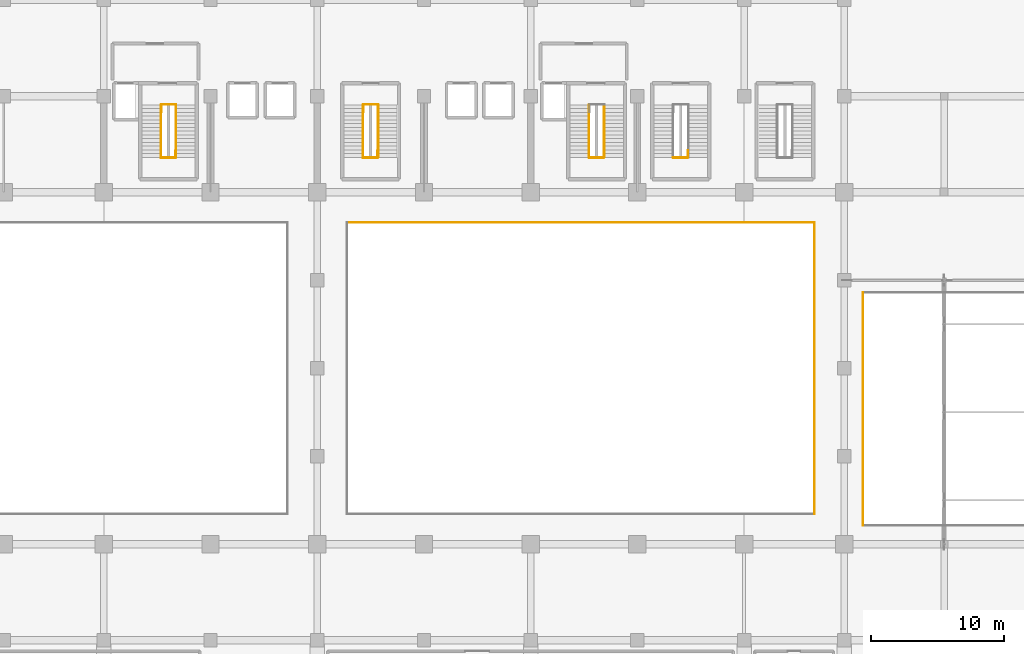
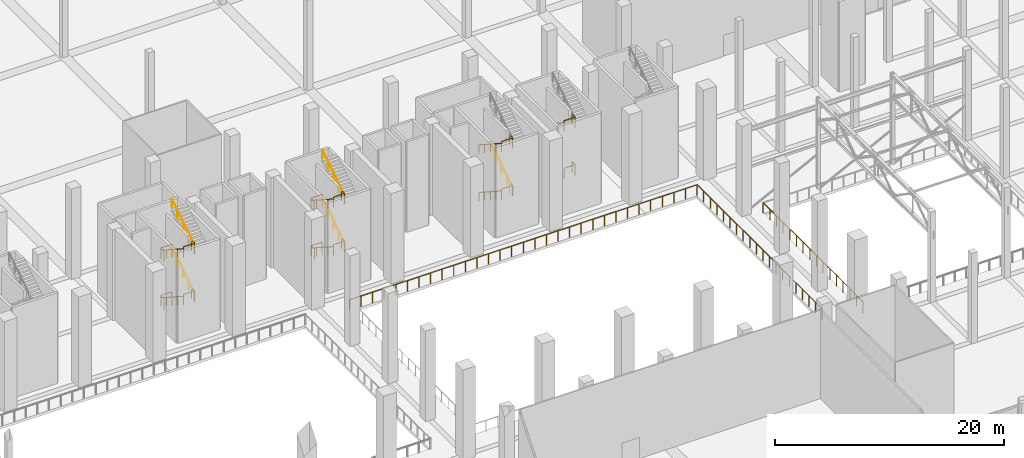
# One storey, part 78 of 80: 26 railings.
"""IFC4 building model written with IfcOpenShell, lengths in metres."""

from ifc_helpers import new_model, si_unit, direction, frame, origin, origin_2d, place, context, subcontext, project, spatial, circle, extrude, material, layer, layer_set, type_object, element, save


model = new_model("IFC4")

# Units and contexts
model_context = context("Model", 3, precision=1e-05, world=origin(), true_north=direction((0.0, 1.0)))
body_context = subcontext(model_context, "Body", "Model", "MODEL_VIEW")
ifc_project = project(units=[si_unit("LENGTHUNIT", "METRE"), si_unit("AREAUNIT", "SQUARE_METRE"), si_unit("VOLUMEUNIT", "CUBIC_METRE"), si_unit("PLANEANGLEUNIT", "RADIAN"), si_unit("MASSUNIT", "GRAM", prefix="KILO")], contexts=[model_context])

# Site, building, storey
site_placement = place(None, origin())
site = spatial("IfcSite", under=ifc_project, at=site_placement, CompositionType="ELEMENT")
building_placement = place(site_placement, origin())
building = spatial("IfcBuilding", under=site, at=building_placement, Name="Akrevak Sports Hall", CompositionType="ELEMENT")
storey_placement = place(building_placement, frame((0.0, 0.0, 14.0)))
storey = spatial("IfcBuildingStorey", under=building, at=storey_placement, Name="L03", CompositionType="ELEMENT", Elevation=14.0)

# Railings
ifc_material_1 = material(Name="Painted Architectural Balustrade Steel", Category="steel")
ifc_layer_1 = layer(ifc_material_1, 0.06005859375, Name="Painted Architectural Balustrade Steel")
ifc_layer_set_1 = layer_set([ifc_layer_1], Name="Painted Architectural Balustrade Steel")
railing_type_1 = type_object("IfcRailingType", Name="ARC-RL-GRD-1120", PredefinedType="GUARDRAIL", material=ifc_layer_set_1)
railing_1_placement = place(storey_placement, frame((64.31005859375, 61.215087890625, 0.0)))
element("IfcRailing", 1, at=railing_1_placement, inside=storey, type_object=railing_type_1, Name="Stair Floor Landing Well Guard ST1 (L03)", PredefinedType="GUARDRAIL", context=body_context, shape_type="SweptSolid", body=[
    extrude(circle(Radius=0.02392578125, at=origin_2d()), frame((0.0, 0.0, 1.09619140625), z_axis=(0.0, 1.0, 0.0), x_axis=(-1.0, 0.0, 0.0)), (0.0, 0.0, 1.0), 0.5498046875),
    extrude(circle(Radius=0.02392578125, at=origin_2d()), frame((0.0, 0.5498046875, 1.09619140625), z_axis=(1.0, 0.0, 0.0), x_axis=(0.0, 1.0, 0.0)), (0.0, 0.0, 1.0), 1.10986328125),
    extrude(circle(Radius=0.02099609375, at=origin_2d()), origin(), (0.0, 0.0, 1.0), 1.072021484375),
    extrude(circle(Radius=0.02099609375, at=origin_2d()), frame((0.0, 0.5498046875, 0.0)), (0.0, 0.0, 1.0), 1.072021484375),
    extrude(circle(Radius=0.02099609375, at=origin_2d()), frame((1.10986328125, 0.5498046875, 0.0)), (0.0, 0.0, 1.0), 1.072021484375),
])
railing_2_placement = place(storey_placement, frame((64.280029296875, 57.784912109375, 2.53759765625)))
element("IfcRailing", 2, at=railing_2_placement, inside=storey, type_object=railing_type_1, Name="Stair Landing Well Guard ST1-L03-1", PredefinedType="GUARDRAIL", context=body_context, shape_type="SweptSolid", body=[
    extrude(circle(Radius=0.02392578125, at=origin_2d()), frame((0.0, 0.0, 1.09619140625), z_axis=(1.0, 0.0, 0.0), x_axis=(0.0, 1.0, 0.0)), (0.0, 0.0, 1.0), 1.10986328125),
    extrude(circle(Radius=0.02392578125, at=origin_2d()), frame((1.10986328125, 0.0, 1.09619140625), z_axis=(0.0, 1.0, 0.0), x_axis=(-1.0, 0.0, 0.0)), (0.0, 0.0, 1.0), 0.52001953125),
    extrude(circle(Radius=0.02099609375, at=origin_2d()), origin(), (0.0, 0.0, 1.0), 1.072021484375),
    extrude(circle(Radius=0.02099609375, at=origin_2d()), frame((1.10986328125, 0.0, 0.0)), (0.0, 0.0, 1.0), 1.072021484375),
    extrude(circle(Radius=0.02099609375, at=origin_2d()), frame((1.10986328125, 0.52001953125, 0.0)), (0.0, 0.0, 1.0), 1.072021484375),
])
railing_3_placement = place(storey_placement, frame((64.31005859375, 61.2451171875, 5.074951171875)))
element("IfcRailing", 3, at=railing_3_placement, inside=storey, type_object=railing_type_1, Name="Stair Landing Well Guard ST1-L03-2", PredefinedType="GUARDRAIL", context=body_context, shape_type="SweptSolid", body=[
    extrude(circle(Radius=0.02392578125, at=origin_2d()), frame((0.0, 0.0, 1.09619140625), z_axis=(0.0, 1.0, 0.0), x_axis=(-1.0, 0.0, 0.0)), (0.0, 0.0, 1.0), 0.519775390625),
    extrude(circle(Radius=0.02392578125, at=origin_2d()), frame((0.0, 0.519775390625, 1.09619140625), z_axis=(1.0, 0.0, 0.0), x_axis=(0.0, 1.0, 0.0)), (0.0, 0.0, 1.0), 1.10986328125),
    extrude(circle(Radius=0.02099609375, at=origin_2d()), origin(), (0.0, 0.0, 1.0), 1.072021484375),
    extrude(circle(Radius=0.02099609375, at=origin_2d()), frame((0.0, 0.519775390625, 0.0)), (0.0, 0.0, 1.0), 1.072021484375),
    extrude(circle(Radius=0.02099609375, at=origin_2d()), frame((1.10986328125, 0.519775390625, 0.0)), (0.0, 0.0, 1.0), 1.072021484375),
])
railing_4_placement = place(storey_placement, frame((64.280029296875, 57.784912109375, 7.612548828125)))
element("IfcRailing", 4, at=railing_4_placement, inside=storey, type_object=railing_type_1, Name="Stair Landing Well Guard ST1-L03-3", PredefinedType="GUARDRAIL", context=body_context, shape_type="SweptSolid", body=[
    extrude(circle(Radius=0.02392578125, at=origin_2d()), frame((0.0, 0.0, 1.09619140625), z_axis=(1.0, 0.0, 0.0), x_axis=(0.0, 1.0, 0.0)), (0.0, 0.0, 1.0), 1.10986328125),
    extrude(circle(Radius=0.02392578125, at=origin_2d()), frame((1.10986328125, 0.0, 1.09619140625), z_axis=(0.0, 1.0, 0.0), x_axis=(-1.0, 0.0, 0.0)), (0.0, 0.0, 1.0), 0.52001953125),
    extrude(circle(Radius=0.02099609375, at=origin_2d()), origin(), (0.0, 0.0, 1.0), 1.072021484375),
    extrude(circle(Radius=0.02099609375, at=origin_2d()), frame((1.10986328125, 0.0, 0.0)), (0.0, 0.0, 1.0), 1.072021484375),
    extrude(circle(Radius=0.02099609375, at=origin_2d()), frame((1.10986328125, 0.52001953125, 0.0)), (0.0, 0.0, 1.0), 1.072021484375),
])
for number, where, name in (
    (5, (96.3798828125, 57.784912109375, 2.53759765625), "Stair Landing Well Guard ST2-L03-1"),
    (6, (96.3798828125, 57.784912109375, 7.612548828125), "Stair Landing Well Guard ST2-L03-3"),
):
    element("IfcRailing", number, at=place(storey_placement, frame(where)), inside=storey, type_object=railing_type_1, Name=name, PredefinedType="GUARDRAIL", context=body_context, shape_type="SweptSolid", body=[
        extrude(circle(Radius=0.02392578125, at=origin_2d()), frame((0.0, 0.0, 1.09619140625), z_axis=(1.0, 0.0, 0.0), x_axis=(0.0, 1.0, 0.0)), (0.0, 0.0, 1.0), 1.110107421875),
        extrude(circle(Radius=0.02392578125, at=origin_2d()), frame((1.110107421875, 0.0, 1.09619140625), z_axis=(0.0, 1.0, 0.0), x_axis=(-1.0, 0.0, 0.0)), (0.0, 0.0, 1.0), 0.52001953125),
        extrude(circle(Radius=0.02099609375, at=origin_2d()), origin(), (0.0, 0.0, 1.0), 1.072021484375),
        extrude(circle(Radius=0.02099609375, at=origin_2d()), frame((1.110107421875, 0.0, 0.0)), (0.0, 0.0, 1.0), 1.072021484375),
        extrude(circle(Radius=0.02099609375, at=origin_2d()), frame((1.110107421875, 0.52001953125, 0.0)), (0.0, 0.0, 1.0), 1.072021484375),
    ])
railing_5_placement = place(storey_placement, frame((79.4599609375, 61.215087890625, 0.0)))
element("IfcRailing", 7, at=railing_5_placement, inside=storey, type_object=railing_type_1, Name="Stair Floor Landing Well Guard ST3 (L03)", PredefinedType="GUARDRAIL", context=body_context, shape_type="SweptSolid", body=[
    extrude(circle(Radius=0.02392578125, at=origin_2d()), frame((0.0, 0.0, 1.09619140625), z_axis=(0.0, 1.0, 0.0), x_axis=(-1.0, 0.0, 0.0)), (0.0, 0.0, 1.0), 0.5498046875),
    extrude(circle(Radius=0.02392578125, at=origin_2d()), frame((0.0, 0.5498046875, 1.09619140625), z_axis=(1.0, 0.0, 0.0), x_axis=(0.0, 1.0, 0.0)), (0.0, 0.0, 1.0), 1.110107421875),
    extrude(circle(Radius=0.02099609375, at=origin_2d()), origin(), (0.0, 0.0, 1.0), 1.072021484375),
    extrude(circle(Radius=0.02099609375, at=origin_2d()), frame((0.0, 0.5498046875, 0.0)), (0.0, 0.0, 1.0), 1.072021484375),
    extrude(circle(Radius=0.02099609375, at=origin_2d()), frame((1.110107421875, 0.5498046875, 0.0)), (0.0, 0.0, 1.0), 1.072021484375),
])
railing_6_placement = place(storey_placement, frame((79.429931640625, 57.784912109375, 2.53759765625)))
element("IfcRailing", 8, at=railing_6_placement, inside=storey, type_object=railing_type_1, Name="Stair Landing Well Guard ST3-L03-1", PredefinedType="GUARDRAIL", context=body_context, shape_type="SweptSolid", body=[
    extrude(circle(Radius=0.02392578125, at=origin_2d()), frame((0.0, 0.0, 1.09619140625), z_axis=(1.0, 0.0, 0.0), x_axis=(0.0, 1.0, 0.0)), (0.0, 0.0, 1.0), 1.110107421875),
    extrude(circle(Radius=0.02392578125, at=origin_2d()), frame((1.110107421875, 0.0, 1.09619140625), z_axis=(0.0, 1.0, 0.0), x_axis=(-1.0, 0.0, 0.0)), (0.0, 0.0, 1.0), 0.52001953125),
    extrude(circle(Radius=0.02099609375, at=origin_2d()), origin(), (0.0, 0.0, 1.0), 1.072021484375),
    extrude(circle(Radius=0.02099609375, at=origin_2d()), frame((1.110107421875, 0.0, 0.0)), (0.0, 0.0, 1.0), 1.072021484375),
    extrude(circle(Radius=0.02099609375, at=origin_2d()), frame((1.110107421875, 0.52001953125, 0.0)), (0.0, 0.0, 1.0), 1.072021484375),
])
railing_7_placement = place(storey_placement, frame((79.4599609375, 61.2451171875, 5.074951171875)))
element("IfcRailing", 9, at=railing_7_placement, inside=storey, type_object=railing_type_1, Name="Stair Landing Well Guard ST3-L03-2", PredefinedType="GUARDRAIL", context=body_context, shape_type="SweptSolid", body=[
    extrude(circle(Radius=0.02392578125, at=origin_2d()), frame((0.0, 0.0, 1.09619140625), z_axis=(0.0, 1.0, 0.0), x_axis=(-1.0, 0.0, 0.0)), (0.0, 0.0, 1.0), 0.519775390625),
    extrude(circle(Radius=0.02392578125, at=origin_2d()), frame((0.0, 0.519775390625, 1.09619140625), z_axis=(1.0, 0.0, 0.0), x_axis=(0.0, 1.0, 0.0)), (0.0, 0.0, 1.0), 1.110107421875),
    extrude(circle(Radius=0.02099609375, at=origin_2d()), origin(), (0.0, 0.0, 1.0), 1.072021484375),
    extrude(circle(Radius=0.02099609375, at=origin_2d()), frame((0.0, 0.519775390625, 0.0)), (0.0, 0.0, 1.0), 1.072021484375),
    extrude(circle(Radius=0.02099609375, at=origin_2d()), frame((1.110107421875, 0.519775390625, 0.0)), (0.0, 0.0, 1.0), 1.072021484375),
])
for number, where, name in (
    (10, (79.429931640625, 57.784912109375, 7.612548828125), "Stair Landing Well Guard ST3-L03-3"),
    (11, (102.679931640625, 57.784912109375, 2.53759765625), "Stair Landing Well Guard ST10-L03-1"),
    (12, (102.679931640625, 57.784912109375, 7.612548828125), "Stair Landing Well Guard ST10-L03-3"),
):
    element("IfcRailing", number, at=place(storey_placement, frame(where)), inside=storey, type_object=railing_type_1, Name=name, PredefinedType="GUARDRAIL", context=body_context, shape_type="SweptSolid", body=[
        extrude(circle(Radius=0.02392578125, at=origin_2d()), frame((0.0, 0.0, 1.09619140625), z_axis=(1.0, 0.0, 0.0), x_axis=(0.0, 1.0, 0.0)), (0.0, 0.0, 1.0), 1.110107421875),
        extrude(circle(Radius=0.02392578125, at=origin_2d()), frame((1.110107421875, 0.0, 1.09619140625), z_axis=(0.0, 1.0, 0.0), x_axis=(-1.0, 0.0, 0.0)), (0.0, 0.0, 1.0), 0.52001953125),
        extrude(circle(Radius=0.02099609375, at=origin_2d()), origin(), (0.0, 0.0, 1.0), 1.072021484375),
        extrude(circle(Radius=0.02099609375, at=origin_2d()), frame((1.110107421875, 0.0, 0.0)), (0.0, 0.0, 1.0), 1.072021484375),
        extrude(circle(Radius=0.02099609375, at=origin_2d()), frame((1.110107421875, 0.52001953125, 0.0)), (0.0, 0.0, 1.0), 1.072021484375),
    ])
ifc_material_2 = material(Name="Anodized Bronze Aluminium & Laminated Glass", Category="aluminium")
ifc_layer_2 = layer(ifc_material_2, 0.080078125, Name="Anodized Bronze Aluminium & Laminated Glass")
ifc_layer_set_2 = layer_set([ifc_layer_2], Name="Anodized Bronze Aluminium & Laminated Glass")
railing_type_2 = type_object("IfcRailingType", Name="ARC-RL-GRD-1150", PredefinedType="GUARDRAIL", material=ifc_layer_set_2)
railing_8_placement = place(storey_placement, frame((113.280029296875, 52.929931640625, 0.0)))
element("IfcRailing", 13, at=railing_8_placement, inside=storey, type_object=railing_type_2, Name="Atrium/Arena Gallery Guardrail L03-VB3-N", PredefinedType="GUARDRAIL", context=body_context, shape_type="SweptSolid", body=[
    extrude(circle(Radius=0.02392578125, at=origin_2d()), frame((0.0, 0.0, 1.1259765625), z_axis=(-1.0, 0.0, 0.0), x_axis=(0.0, -1.0, 0.0)), (0.0, 0.0, 1.0), 35.06005859375),
    extrude(circle(Radius=0.02099609375, at=origin_2d()), origin(), (0.0, 0.0, 1.0), 1.101806640625),
    extrude(circle(Radius=0.02099609375, at=origin_2d()), frame((-1.168701171875, 0.0, 0.0)), (0.0, 0.0, 1.0), 1.101806640625),
    extrude(circle(Radius=0.02099609375, at=origin_2d()), frame((-2.33740234375, 0.0, 0.0)), (0.0, 0.0, 1.0), 1.101806640625),
    extrude(circle(Radius=0.02099609375, at=origin_2d()), frame((-3.506103515625, 0.0, 0.0)), (0.0, 0.0, 1.0), 1.101806640625),
    extrude(circle(Radius=0.02099609375, at=origin_2d()), frame((-4.674560546875, 0.0, 0.0)), (0.0, 0.0, 1.0), 1.101806640625),
    extrude(circle(Radius=0.02099609375, at=origin_2d()), frame((-5.84326171875, 0.0, 0.0)), (0.0, 0.0, 1.0), 1.101806640625),
    extrude(circle(Radius=0.02099609375, at=origin_2d()), frame((-7.011962890625, 0.0, 0.0)), (0.0, 0.0, 1.0), 1.101806640625),
    extrude(circle(Radius=0.02099609375, at=origin_2d()), frame((-8.1806640625, 0.0, 0.0)), (0.0, 0.0, 1.0), 1.101806640625),
    extrude(circle(Radius=0.02099609375, at=origin_2d()), frame((-9.349365234375, 0.0, 0.0)), (0.0, 0.0, 1.0), 1.101806640625),
    extrude(circle(Radius=0.02099609375, at=origin_2d()), frame((-10.51806640625, 0.0, 0.0)), (0.0, 0.0, 1.0), 1.101806640625),
    extrude(circle(Radius=0.02099609375, at=origin_2d()), frame((-11.686767578125, 0.0, 0.0)), (0.0, 0.0, 1.0), 1.101806640625),
    extrude(circle(Radius=0.02099609375, at=origin_2d()), frame((-12.85546875, 0.0, 0.0)), (0.0, 0.0, 1.0), 1.101806640625),
    extrude(circle(Radius=0.02099609375, at=origin_2d()), frame((-14.02392578125, 0.0, 0.0)), (0.0, 0.0, 1.0), 1.101806640625),
    extrude(circle(Radius=0.02099609375, at=origin_2d()), frame((-15.192626953125, 0.0, 0.0)), (0.0, 0.0, 1.0), 1.101806640625),
    extrude(circle(Radius=0.02099609375, at=origin_2d()), frame((-16.361328125, 0.0, 0.0)), (0.0, 0.0, 1.0), 1.101806640625),
    extrude(circle(Radius=0.02099609375, at=origin_2d()), frame((-17.530029296875, 0.0, 0.0)), (0.0, 0.0, 1.0), 1.101806640625),
    extrude(circle(Radius=0.02099609375, at=origin_2d()), frame((-18.69873046875, 0.0, 0.0)), (0.0, 0.0, 1.0), 1.101806640625),
    extrude(circle(Radius=0.02099609375, at=origin_2d()), frame((-19.867431640625, 0.0, 0.0)), (0.0, 0.0, 1.0), 1.101806640625),
    extrude(circle(Radius=0.02099609375, at=origin_2d()), frame((-21.0361328125, 0.0, 0.0)), (0.0, 0.0, 1.0), 1.101806640625),
    extrude(circle(Radius=0.02099609375, at=origin_2d()), frame((-22.20458984375, 0.0, 0.0)), (0.0, 0.0, 1.0), 1.101806640625),
    extrude(circle(Radius=0.02099609375, at=origin_2d()), frame((-23.373291015625, 0.0, 0.0)), (0.0, 0.0, 1.0), 1.101806640625),
    extrude(circle(Radius=0.02099609375, at=origin_2d()), frame((-24.5419921875, 0.0, 0.0)), (0.0, 0.0, 1.0), 1.101806640625),
    extrude(circle(Radius=0.02099609375, at=origin_2d()), frame((-25.710693359375, 0.0, 0.0)), (0.0, 0.0, 1.0), 1.101806640625),
    extrude(circle(Radius=0.02099609375, at=origin_2d()), frame((-26.87939453125, 0.0, 0.0)), (0.0, 0.0, 1.0), 1.101806640625),
    extrude(circle(Radius=0.02099609375, at=origin_2d()), frame((-28.048095703125, 0.0, 0.0)), (0.0, 0.0, 1.0), 1.101806640625),
    extrude(circle(Radius=0.02099609375, at=origin_2d()), frame((-29.216796875, 0.0, 0.0)), (0.0, 0.0, 1.0), 1.101806640625),
    extrude(circle(Radius=0.02099609375, at=origin_2d()), frame((-30.385498046875, 0.0, 0.0)), (0.0, 0.0, 1.0), 1.101806640625),
    extrude(circle(Radius=0.02099609375, at=origin_2d()), frame((-31.553955078125, 0.0, 0.0)), (0.0, 0.0, 1.0), 1.101806640625),
    extrude(circle(Radius=0.02099609375, at=origin_2d()), frame((-32.72265625, 0.0, 0.0)), (0.0, 0.0, 1.0), 1.101806640625),
    extrude(circle(Radius=0.02099609375, at=origin_2d()), frame((-33.891357421875, 0.0, 0.0)), (0.0, 0.0, 1.0), 1.101806640625),
    extrude(circle(Radius=0.02099609375, at=origin_2d()), frame((-35.06005859375, 0.0, 0.0)), (0.0, 0.0, 1.0), 1.101806640625),
])
railing_9_placement = place(storey_placement, frame((113.280029296875, 31.070068359375, 0.0)))
element("IfcRailing", 14, at=railing_9_placement, inside=storey, type_object=railing_type_2, Name="Atrium/Arena Gallery Guardrail L03-VB3-E", PredefinedType="GUARDRAIL", context=body_context, shape_type="SweptSolid", body=[
    extrude(circle(Radius=0.02392578125, at=origin_2d()), frame((0.0, 0.0, 1.1259765625), z_axis=(0.0, 1.0, 0.0), x_axis=(-1.0, 0.0, 0.0)), (0.0, 0.0, 1.0), 21.85986328125),
    extrude(circle(Radius=0.02099609375, at=origin_2d()), origin(), (0.0, 0.0, 1.0), 1.101806640625),
    extrude(circle(Radius=0.02099609375, at=origin_2d()), frame((0.0, 1.150634765625, 0.0)), (0.0, 0.0, 1.0), 1.101806640625),
    extrude(circle(Radius=0.02099609375, at=origin_2d()), frame((0.0, 2.301025390625, 0.0)), (0.0, 0.0, 1.0), 1.101806640625),
    extrude(circle(Radius=0.02099609375, at=origin_2d()), frame((0.0, 3.45166015625, 0.0)), (0.0, 0.0, 1.0), 1.101806640625),
    extrude(circle(Radius=0.02099609375, at=origin_2d()), frame((0.0, 4.60205078125, 0.0)), (0.0, 0.0, 1.0), 1.101806640625),
    extrude(circle(Radius=0.02099609375, at=origin_2d()), frame((0.0, 5.752685546875, 0.0)), (0.0, 0.0, 1.0), 1.101806640625),
    extrude(circle(Radius=0.02099609375, at=origin_2d()), frame((0.0, 6.903076171875, 0.0)), (0.0, 0.0, 1.0), 1.101806640625),
    extrude(circle(Radius=0.02099609375, at=origin_2d()), frame((0.0, 8.0537109375, 0.0)), (0.0, 0.0, 1.0), 1.101806640625),
    extrude(circle(Radius=0.02099609375, at=origin_2d()), frame((0.0, 9.2041015625, 0.0)), (0.0, 0.0, 1.0), 1.101806640625),
    extrude(circle(Radius=0.02099609375, at=origin_2d()), frame((0.0, 10.354736328125, 0.0)), (0.0, 0.0, 1.0), 1.101806640625),
    extrude(circle(Radius=0.02099609375, at=origin_2d()), frame((0.0, 11.505126953125, 0.0)), (0.0, 0.0, 1.0), 1.101806640625),
    extrude(circle(Radius=0.02099609375, at=origin_2d()), frame((0.0, 12.65576171875, 0.0)), (0.0, 0.0, 1.0), 1.101806640625),
    extrude(circle(Radius=0.02099609375, at=origin_2d()), frame((0.0, 13.80615234375, 0.0)), (0.0, 0.0, 1.0), 1.101806640625),
    extrude(circle(Radius=0.02099609375, at=origin_2d()), frame((0.0, 14.956787109375, 0.0)), (0.0, 0.0, 1.0), 1.101806640625),
    extrude(circle(Radius=0.02099609375, at=origin_2d()), frame((0.0, 16.107177734375, 0.0)), (0.0, 0.0, 1.0), 1.101806640625),
    extrude(circle(Radius=0.02099609375, at=origin_2d()), frame((0.0, 17.2578125, 0.0)), (0.0, 0.0, 1.0), 1.101806640625),
    extrude(circle(Radius=0.02099609375, at=origin_2d()), frame((0.0, 18.408203125, 0.0)), (0.0, 0.0, 1.0), 1.101806640625),
    extrude(circle(Radius=0.02099609375, at=origin_2d()), frame((0.0, 19.558837890625, 0.0)), (0.0, 0.0, 1.0), 1.101806640625),
    extrude(circle(Radius=0.02099609375, at=origin_2d()), frame((0.0, 20.709228515625, 0.0)), (0.0, 0.0, 1.0), 1.101806640625),
    extrude(circle(Radius=0.02099609375, at=origin_2d()), frame((0.0, 21.85986328125, 0.0)), (0.0, 0.0, 1.0), 1.101806640625),
])
railing_10_placement = place(storey_placement, frame((116.919921875, 47.679931640625, 0.0)))
element("IfcRailing", 15, at=railing_10_placement, inside=storey, type_object=railing_type_2, Name="Atrium/Arena Gallery Guardrail L03-CLM-W", PredefinedType="GUARDRAIL", context=body_context, shape_type="SweptSolid", body=[
    extrude(circle(Radius=0.02392578125, at=origin_2d()), frame((0.0, 0.0, 1.1259765625), z_axis=(0.0, -1.0, 0.0), x_axis=(1.0, 0.0, 0.0)), (0.0, 0.0, 1.0), 17.4599609375),
    extrude(circle(Radius=0.02099609375, at=origin_2d()), origin(), (0.0, 0.0, 1.0), 1.101806640625),
    extrude(circle(Radius=0.02099609375, at=origin_2d()), frame((0.0, -1.1640625, 0.0)), (0.0, 0.0, 1.0), 1.101806640625),
    extrude(circle(Radius=0.02099609375, at=origin_2d()), frame((0.0, -2.327880859375, 0.0)), (0.0, 0.0, 1.0), 1.101806640625),
    extrude(circle(Radius=0.02099609375, at=origin_2d()), frame((0.0, -3.491943359375, 0.0)), (0.0, 0.0, 1.0), 1.101806640625),
    extrude(circle(Radius=0.02099609375, at=origin_2d()), frame((0.0, -4.656005859375, 0.0)), (0.0, 0.0, 1.0), 1.101806640625),
    extrude(circle(Radius=0.02099609375, at=origin_2d()), frame((0.0, -5.820068359375, 0.0)), (0.0, 0.0, 1.0), 1.101806640625),
    extrude(circle(Radius=0.02099609375, at=origin_2d()), frame((0.0, -6.98388671875, 0.0)), (0.0, 0.0, 1.0), 1.101806640625),
    extrude(circle(Radius=0.02099609375, at=origin_2d()), frame((0.0, -8.14794921875, 0.0)), (0.0, 0.0, 1.0), 1.101806640625),
    extrude(circle(Radius=0.02099609375, at=origin_2d()), frame((0.0, -9.31201171875, 0.0)), (0.0, 0.0, 1.0), 1.101806640625),
    extrude(circle(Radius=0.02099609375, at=origin_2d()), frame((0.0, -10.47607421875, 0.0)), (0.0, 0.0, 1.0), 1.101806640625),
    extrude(circle(Radius=0.02099609375, at=origin_2d()), frame((0.0, -11.639892578125, 0.0)), (0.0, 0.0, 1.0), 1.101806640625),
    extrude(circle(Radius=0.02099609375, at=origin_2d()), frame((0.0, -12.803955078125, 0.0)), (0.0, 0.0, 1.0), 1.101806640625),
    extrude(circle(Radius=0.02099609375, at=origin_2d()), frame((0.0, -13.968017578125, 0.0)), (0.0, 0.0, 1.0), 1.101806640625),
    extrude(circle(Radius=0.02099609375, at=origin_2d()), frame((0.0, -15.132080078125, 0.0)), (0.0, 0.0, 1.0), 1.101806640625),
    extrude(circle(Radius=0.02099609375, at=origin_2d()), frame((0.0, -16.2958984375, 0.0)), (0.0, 0.0, 1.0), 1.101806640625),
    extrude(circle(Radius=0.02099609375, at=origin_2d()), frame((0.0, -17.4599609375, 0.0)), (0.0, 0.0, 1.0), 1.101806640625),
])
ifc_material_3 = material(Name="Brushed Stainless Steel 304", Category="steel")
ifc_layer_3 = layer(ifc_material_3, 0.050048828125, Name="Brushed Stainless Steel 304")
ifc_layer_set_3 = layer_set([ifc_layer_3], Name="Brushed Stainless Steel 304")
railing_type_3 = type_object("IfcRailingType", Name="ARC-RL-HND-900", PredefinedType="HANDRAIL", material=ifc_layer_set_3)
railing_11_placement = place(storey_placement, frame((64.280029296875, 61.735107421875, 0.0)))
element("IfcRailing", 16, at=railing_11_placement, inside=storey, type_object=railing_type_3, Name="Stair Handrail ST1-L03-F1", PredefinedType="HANDRAIL", context=body_context, shape_type="SweptSolid", body=[
    extrude(circle(Radius=0.02392578125, at=origin_2d()), frame((0.0, 0.0, 0.8759765625), z_axis=(0.0, -0.839470554764, 0.543405178191), x_axis=(1.0, 0.0, 0.0)), (0.0, 0.0, 1.0), 4.669921875),
    extrude(circle(Radius=0.02099609375, at=origin_2d()), origin(), (0.0, 0.0, 1.0), 0.851806640625),
    extrude(circle(Radius=0.02099609375, at=origin_2d()), frame((0.0, -0.97998046875, 0.63427734375)), (0.0, 0.0, 1.0), 0.851806640625),
    extrude(circle(Radius=0.02099609375, at=origin_2d()), frame((0.0, -1.9599609375, 1.268798828125)), (0.0, 0.0, 1.0), 0.851806640625),
    extrude(circle(Radius=0.02099609375, at=origin_2d()), frame((0.0, -2.940185546875, 1.9033203125)), (0.0, 0.0, 1.0), 0.851806640625),
    extrude(circle(Radius=0.02099609375, at=origin_2d()), frame((0.0, -3.920166015625, 2.53759765625)), (0.0, 0.0, 1.0), 0.851806640625),
])
railing_12_placement = place(storey_placement, frame((65.419921875, 57.81494140625, 2.53759765625)))
element("IfcRailing", 17, at=railing_12_placement, inside=storey, type_object=railing_type_3, Name="Stair Handrail ST1-L03-F2", PredefinedType="HANDRAIL", context=body_context, shape_type="SweptSolid", body=[
    extrude(circle(Radius=0.02392578125, at=origin_2d()), frame((0.0, 0.0, 0.8759765625), z_axis=(0.0, 0.83949440364, 0.543368333875), x_axis=(-1.0, 0.0, 0.0)), (0.0, 0.0, 1.0), 4.669677734375),
    extrude(circle(Radius=0.02099609375, at=origin_2d()), origin(), (0.0, 0.0, 1.0), 0.851806640625),
    extrude(circle(Radius=0.02099609375, at=origin_2d()), frame((0.0, 0.97998046875, 0.63427734375)), (0.0, 0.0, 1.0), 0.851806640625),
    extrude(circle(Radius=0.02099609375, at=origin_2d()), frame((0.0, 1.9599609375, 1.2685546875)), (0.0, 0.0, 1.0), 0.851806640625),
    extrude(circle(Radius=0.02099609375, at=origin_2d()), frame((0.0, 2.940185546875, 1.903076171875)), (0.0, 0.0, 1.0), 0.851806640625),
    extrude(circle(Radius=0.02099609375, at=origin_2d()), frame((0.0, 3.920166015625, 2.537353515625)), (0.0, 0.0, 1.0), 0.851806640625),
])
railing_13_placement = place(storey_placement, frame((64.280029296875, 61.735107421875, 5.074951171875)))
element("IfcRailing", 18, at=railing_13_placement, inside=storey, type_object=railing_type_3, Name="Stair Handrail ST1-L03-F3", PredefinedType="HANDRAIL", context=body_context, shape_type="SweptSolid", body=[
    extrude(circle(Radius=0.02392578125, at=origin_2d()), frame((0.0, 0.0, 0.8759765625), z_axis=(0.0, -0.839470554764, 0.543405178191), x_axis=(1.0, 0.0, 0.0)), (0.0, 0.0, 1.0), 4.669921875),
    extrude(circle(Radius=0.02099609375, at=origin_2d()), origin(), (0.0, 0.0, 1.0), 0.851806640625),
    extrude(circle(Radius=0.02099609375, at=origin_2d()), frame((0.0, -0.97998046875, 0.63427734375)), (0.0, 0.0, 1.0), 0.851806640625),
    extrude(circle(Radius=0.02099609375, at=origin_2d()), frame((0.0, -1.9599609375, 1.268798828125)), (0.0, 0.0, 1.0), 0.851806640625),
    extrude(circle(Radius=0.02099609375, at=origin_2d()), frame((0.0, -2.940185546875, 1.9033203125)), (0.0, 0.0, 1.0), 0.851806640625),
    extrude(circle(Radius=0.02099609375, at=origin_2d()), frame((0.0, -3.920166015625, 2.53759765625)), (0.0, 0.0, 1.0), 0.851806640625),
])
railing_14_placement = place(storey_placement, frame((65.419921875, 57.81494140625, 7.612548828125)))
element("IfcRailing", 19, at=railing_14_placement, inside=storey, type_object=railing_type_3, Name="Stair Handrail ST1-L03-F4", PredefinedType="HANDRAIL", context=body_context, shape_type="SweptSolid", body=[
    extrude(circle(Radius=0.02392578125, at=origin_2d()), frame((0.0, 0.0, 0.8759765625), z_axis=(0.0, 0.83949440364, 0.543368333875), x_axis=(-1.0, 0.0, 0.0)), (0.0, 0.0, 1.0), 4.669677734375),
    extrude(circle(Radius=0.02099609375, at=origin_2d()), origin(), (0.0, 0.0, 1.0), 0.851806640625),
    extrude(circle(Radius=0.02099609375, at=origin_2d()), frame((0.0, 0.97998046875, 0.63427734375)), (0.0, 0.0, 1.0), 0.851806640625),
    extrude(circle(Radius=0.02099609375, at=origin_2d()), frame((0.0, 1.9599609375, 1.2685546875)), (0.0, 0.0, 1.0), 0.851806640625),
    extrude(circle(Radius=0.02099609375, at=origin_2d()), frame((0.0, 2.940185546875, 1.903076171875)), (0.0, 0.0, 1.0), 0.851806640625),
    extrude(circle(Radius=0.02099609375, at=origin_2d()), frame((0.0, 3.920166015625, 2.537353515625)), (0.0, 0.0, 1.0), 0.851806640625),
])
railing_15_placement = place(storey_placement, frame((96.3798828125, 61.735107421875, 0.0)))
element("IfcRailing", 20, at=railing_15_placement, inside=storey, type_object=railing_type_3, Name="Stair Handrail ST2-L03-F1", PredefinedType="HANDRAIL", context=body_context, shape_type="SweptSolid", body=[
    extrude(circle(Radius=0.02392578125, at=origin_2d()), frame((0.0, 0.0, 0.8759765625), z_axis=(0.0, -0.839470554764, 0.543405178191), x_axis=(1.0, 0.0, 0.0)), (0.0, 0.0, 1.0), 4.669921875),
    extrude(circle(Radius=0.02099609375, at=origin_2d()), origin(), (0.0, 0.0, 1.0), 0.851806640625),
    extrude(circle(Radius=0.02099609375, at=origin_2d()), frame((0.0, -0.97998046875, 0.63427734375)), (0.0, 0.0, 1.0), 0.851806640625),
    extrude(circle(Radius=0.02099609375, at=origin_2d()), frame((0.0, -1.9599609375, 1.268798828125)), (0.0, 0.0, 1.0), 0.851806640625),
    extrude(circle(Radius=0.02099609375, at=origin_2d()), frame((0.0, -2.940185546875, 1.9033203125)), (0.0, 0.0, 1.0), 0.851806640625),
    extrude(circle(Radius=0.02099609375, at=origin_2d()), frame((0.0, -3.920166015625, 2.53759765625)), (0.0, 0.0, 1.0), 0.851806640625),
])
railing_16_placement = place(storey_placement, frame((97.52001953125, 57.81494140625, 2.53759765625)))
element("IfcRailing", 21, at=railing_16_placement, inside=storey, type_object=railing_type_3, Name="Stair Handrail ST2-L03-F2", PredefinedType="HANDRAIL", context=body_context, shape_type="SweptSolid", body=[
    extrude(circle(Radius=0.02392578125, at=origin_2d()), frame((0.0, 0.0, 0.8759765625), z_axis=(0.0, 0.83949440364, 0.543368333875), x_axis=(-1.0, 0.0, 0.0)), (0.0, 0.0, 1.0), 4.669677734375),
    extrude(circle(Radius=0.02099609375, at=origin_2d()), origin(), (0.0, 0.0, 1.0), 0.851806640625),
    extrude(circle(Radius=0.02099609375, at=origin_2d()), frame((0.0, 0.97998046875, 0.63427734375)), (0.0, 0.0, 1.0), 0.851806640625),
    extrude(circle(Radius=0.02099609375, at=origin_2d()), frame((0.0, 1.9599609375, 1.2685546875)), (0.0, 0.0, 1.0), 0.851806640625),
    extrude(circle(Radius=0.02099609375, at=origin_2d()), frame((0.0, 2.940185546875, 1.903076171875)), (0.0, 0.0, 1.0), 0.851806640625),
    extrude(circle(Radius=0.02099609375, at=origin_2d()), frame((0.0, 3.920166015625, 2.537353515625)), (0.0, 0.0, 1.0), 0.851806640625),
])
for number, where, name in (
    (22, (96.3798828125, 61.735107421875, 5.074951171875), "Stair Handrail ST2-L03-F3"),
    (23, (79.429931640625, 61.735107421875, 0.0), "Stair Handrail ST3-L03-F1"),
):
    element("IfcRailing", number, at=place(storey_placement, frame(where)), inside=storey, type_object=railing_type_3, Name=name, PredefinedType="HANDRAIL", context=body_context, shape_type="SweptSolid", body=[
        extrude(circle(Radius=0.02392578125, at=origin_2d()), frame((0.0, 0.0, 0.8759765625), z_axis=(0.0, -0.839470554764, 0.543405178191), x_axis=(1.0, 0.0, 0.0)), (0.0, 0.0, 1.0), 4.669921875),
        extrude(circle(Radius=0.02099609375, at=origin_2d()), origin(), (0.0, 0.0, 1.0), 0.851806640625),
        extrude(circle(Radius=0.02099609375, at=origin_2d()), frame((0.0, -0.97998046875, 0.63427734375)), (0.0, 0.0, 1.0), 0.851806640625),
        extrude(circle(Radius=0.02099609375, at=origin_2d()), frame((0.0, -1.9599609375, 1.268798828125)), (0.0, 0.0, 1.0), 0.851806640625),
        extrude(circle(Radius=0.02099609375, at=origin_2d()), frame((0.0, -2.940185546875, 1.9033203125)), (0.0, 0.0, 1.0), 0.851806640625),
        extrude(circle(Radius=0.02099609375, at=origin_2d()), frame((0.0, -3.920166015625, 2.53759765625)), (0.0, 0.0, 1.0), 0.851806640625),
    ])
railing_17_placement = place(storey_placement, frame((80.570068359375, 57.81494140625, 2.53759765625)))
element("IfcRailing", 24, at=railing_17_placement, inside=storey, type_object=railing_type_3, Name="Stair Handrail ST3-L03-F2", PredefinedType="HANDRAIL", context=body_context, shape_type="SweptSolid", body=[
    extrude(circle(Radius=0.02392578125, at=origin_2d()), frame((0.0, 0.0, 0.8759765625), z_axis=(0.0, 0.83949440364, 0.543368333875), x_axis=(-1.0, 0.0, 0.0)), (0.0, 0.0, 1.0), 4.669677734375),
    extrude(circle(Radius=0.02099609375, at=origin_2d()), origin(), (0.0, 0.0, 1.0), 0.851806640625),
    extrude(circle(Radius=0.02099609375, at=origin_2d()), frame((0.0, 0.97998046875, 0.63427734375)), (0.0, 0.0, 1.0), 0.851806640625),
    extrude(circle(Radius=0.02099609375, at=origin_2d()), frame((0.0, 1.9599609375, 1.2685546875)), (0.0, 0.0, 1.0), 0.851806640625),
    extrude(circle(Radius=0.02099609375, at=origin_2d()), frame((0.0, 2.940185546875, 1.903076171875)), (0.0, 0.0, 1.0), 0.851806640625),
    extrude(circle(Radius=0.02099609375, at=origin_2d()), frame((0.0, 3.920166015625, 2.537353515625)), (0.0, 0.0, 1.0), 0.851806640625),
])
railing_18_placement = place(storey_placement, frame((79.429931640625, 61.735107421875, 5.074951171875)))
element("IfcRailing", 25, at=railing_18_placement, inside=storey, type_object=railing_type_3, Name="Stair Handrail ST3-L03-F3", PredefinedType="HANDRAIL", context=body_context, shape_type="SweptSolid", body=[
    extrude(circle(Radius=0.02392578125, at=origin_2d()), frame((0.0, 0.0, 0.8759765625), z_axis=(0.0, -0.839470554764, 0.543405178191), x_axis=(1.0, 0.0, 0.0)), (0.0, 0.0, 1.0), 4.669921875),
    extrude(circle(Radius=0.02099609375, at=origin_2d()), origin(), (0.0, 0.0, 1.0), 0.851806640625),
    extrude(circle(Radius=0.02099609375, at=origin_2d()), frame((0.0, -0.97998046875, 0.63427734375)), (0.0, 0.0, 1.0), 0.851806640625),
    extrude(circle(Radius=0.02099609375, at=origin_2d()), frame((0.0, -1.9599609375, 1.268798828125)), (0.0, 0.0, 1.0), 0.851806640625),
    extrude(circle(Radius=0.02099609375, at=origin_2d()), frame((0.0, -2.940185546875, 1.9033203125)), (0.0, 0.0, 1.0), 0.851806640625),
    extrude(circle(Radius=0.02099609375, at=origin_2d()), frame((0.0, -3.920166015625, 2.53759765625)), (0.0, 0.0, 1.0), 0.851806640625),
])
railing_19_placement = place(storey_placement, frame((80.570068359375, 57.81494140625, 7.612548828125)))
element("IfcRailing", 26, at=railing_19_placement, inside=storey, type_object=railing_type_3, Name="Stair Handrail ST3-L03-F4", PredefinedType="HANDRAIL", context=body_context, shape_type="SweptSolid", body=[
    extrude(circle(Radius=0.02392578125, at=origin_2d()), frame((0.0, 0.0, 0.8759765625), z_axis=(0.0, 0.83949440364, 0.543368333875), x_axis=(-1.0, 0.0, 0.0)), (0.0, 0.0, 1.0), 4.669677734375),
    extrude(circle(Radius=0.02099609375, at=origin_2d()), origin(), (0.0, 0.0, 1.0), 0.851806640625),
    extrude(circle(Radius=0.02099609375, at=origin_2d()), frame((0.0, 0.97998046875, 0.63427734375)), (0.0, 0.0, 1.0), 0.851806640625),
    extrude(circle(Radius=0.02099609375, at=origin_2d()), frame((0.0, 1.9599609375, 1.2685546875)), (0.0, 0.0, 1.0), 0.851806640625),
    extrude(circle(Radius=0.02099609375, at=origin_2d()), frame((0.0, 2.940185546875, 1.903076171875)), (0.0, 0.0, 1.0), 0.851806640625),
    extrude(circle(Radius=0.02099609375, at=origin_2d()), frame((0.0, 3.920166015625, 2.537353515625)), (0.0, 0.0, 1.0), 0.851806640625),
])

save(model, "model.ifc")
